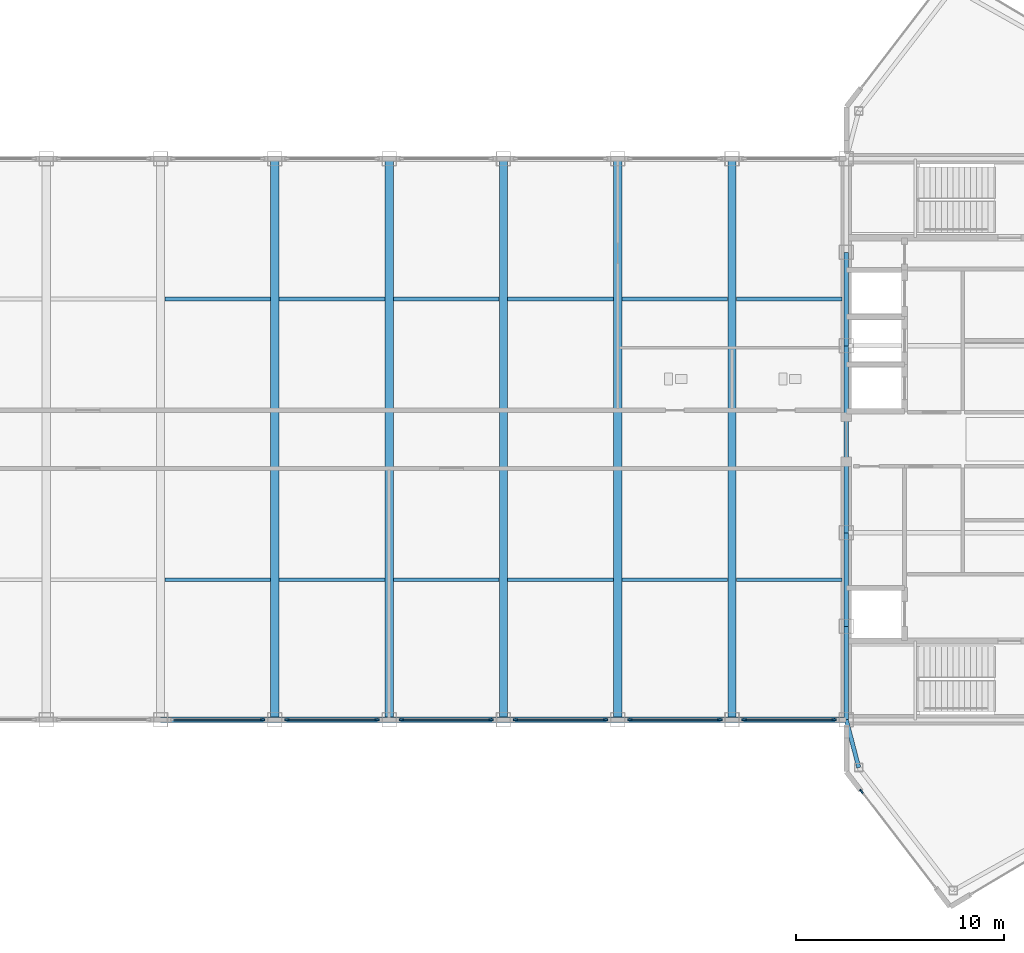
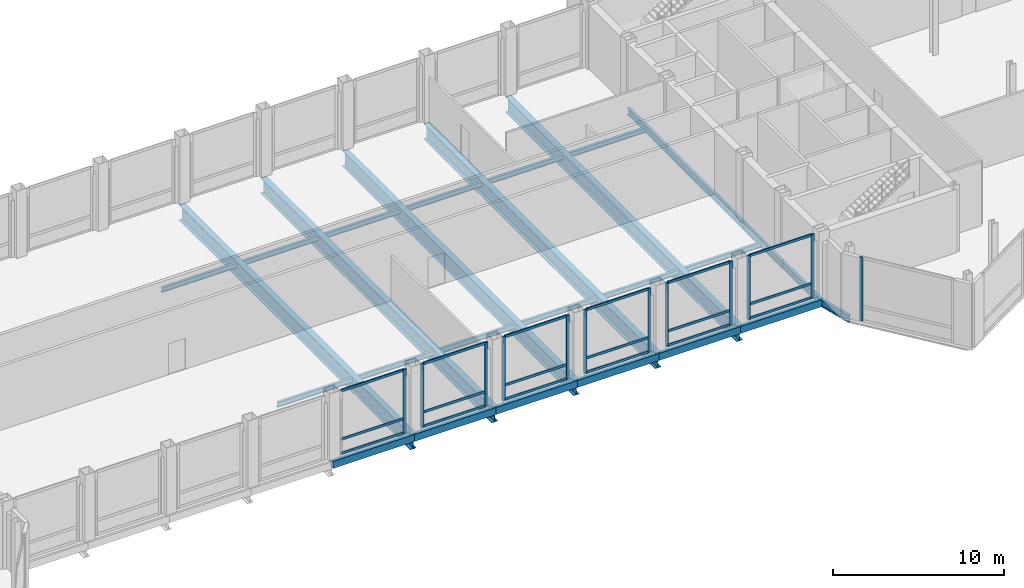
# One storey, part 13 of 29: 30 members, 28 beams, 7 elements without a shape of their own.
"""IFC4 building model written with IfcOpenShell, lengths in metres."""

from ifc_helpers import new_model, si_unit, direction, frame, origin, origin_2d, place, context, subcontext, project, spatial, rectangle, hollow_rectangle, i_section, extrude, source, transform, mapped, material, layer, layer_set, material_profile, profile_set, type_object, type_shapes, element, aggregate, save


model = new_model("IFC4")

# Units and contexts
model_context = context("Model", 3, precision=1e-05, world=origin(), true_north=direction((0.0, 1.0)))
body_context = subcontext(model_context, "Body", "Model", "MODEL_VIEW")
ifc_project = project(units=[si_unit("LENGTHUNIT", "METRE"), si_unit("AREAUNIT", "SQUARE_METRE"), si_unit("VOLUMEUNIT", "CUBIC_METRE"), si_unit("PLANEANGLEUNIT", "RADIAN"), si_unit("MASSUNIT", "GRAM", prefix="KILO")], contexts=[model_context])

# Site, building, storey
site_placement = place(None, origin())
site = spatial("IfcSite", under=ifc_project, at=site_placement, CompositionType="ELEMENT")
building_placement = place(site_placement, origin())
building = spatial("IfcBuilding", under=site, at=building_placement, Name="Seokmaru Belvedere", CompositionType="ELEMENT")
storey_placement = place(building_placement, frame((0.0, 0.0, 269.39990234375)))
storey = spatial("IfcBuildingStorey", under=building, at=storey_placement, Name="L71", CompositionType="ELEMENT", Elevation=269.39990234375)

# Beams
ifc_material_1 = material(Name="Steel SM355 (355 MPa)", Category="steel")
ifc_material_profile_1 = material_profile(ifc_material_1, i_section(OverallWidth=0.199951171875, OverallDepth=0.5, WebThickness=0.010009765625, FlangeThickness=0.01611328125, at=origin_2d()), Name="H-500x200x10x16")
ifc_profile_set_1 = profile_set([ifc_material_profile_1], Name="Steel SM355 (355 MPa)")
beam_type_1 = type_object("IfcBeamType", Name="Perimeter Spandrel Beam H-500", PredefinedType="SPANDREL", material=ifc_profile_set_1)
shared_shape_1 = source(origin(), body_context, "Body", "SweptSolid", [
    extrude(i_section(OverallWidth=0.199951171875, OverallDepth=0.5, WebThickness=0.010009765625, FlangeThickness=0.01611328125, at=origin_2d()), origin(), (0.0, 0.0, 1.0), 4.5),
])
for number, where, z_axis, x_axis, name in (
    (1, (27.5, -13.5, -0.510009765625), (0.0, 1.0, 0.0), (-1.0, 0.0, 0.0), "L71 E Portal Spine Spandrel 1"),
    (2, (27.5, -9.0, -0.510009765625), (0.0, 1.0, 0.0), (-1.0, 0.0, 0.0), "L71 E Portal Spine Spandrel 2"),
    (3, (27.5, 4.5, -0.510009765625), (0.0, 1.0, 0.0), (-1.0, 0.0, 0.0), "L71 E Portal Spine Spandrel 4"),
):
    element("IfcBeam", number, at=place(storey_placement, frame(where, z_axis=z_axis, x_axis=x_axis)), inside=storey, type_object=beam_type_1, Name=name, PredefinedType="SPANDREL", context=body_context, shape_type="MappedRepresentation", body=[
        mapped(shared_shape_1, transform((0.0, 0.0, 0.0), scale=1.0)),
    ])
shared_shape_2 = source(origin(), body_context, "Body", "SweptSolid", [
    extrude(i_section(OverallWidth=0.199951171875, OverallDepth=0.5, WebThickness=0.010009765625, FlangeThickness=0.01611328125, at=origin_2d()), origin(), (0.0, 0.0, 1.0), 9.0),
])
beam_1_placement = place(storey_placement, frame((27.5, -4.5, -0.510009765625), z_axis=(0.0, 1.0, 0.0), x_axis=(-1.0, 0.0, 0.0)))
element("IfcBeam", 4, at=beam_1_placement, inside=storey, type_object=beam_type_1, Name="L71 E Portal Spine Spandrel 3", PredefinedType="SPANDREL", context=body_context, shape_type="MappedRepresentation", body=[
    mapped(shared_shape_2, transform((0.0, 0.0, 0.0), scale=1.0)),
])
shared_shape_3 = source(origin(), body_context, "Body", "SweptSolid", [
    extrude(i_section(OverallWidth=0.199951171875, OverallDepth=0.5, WebThickness=0.010009765625, FlangeThickness=0.01611328125, at=origin_2d()), origin(), (0.0, 0.0, 1.0), 2.373046875),
])
type_shapes(beam_type_1, [shared_shape_1, shared_shape_2, shared_shape_3])
beam_2_placement = place(storey_placement, frame((28.10009765625, -15.7958984375, -0.510009765625), z_axis=(-0.252882558842, 0.967496982648, 0.0), x_axis=(-0.967496982648, -0.252882558842, 0.0)))
element("IfcBeam", 5, at=beam_2_placement, inside=storey, type_object=beam_type_1, Name="L71 E Shoulder Spine Spandrel S", PredefinedType="SPANDREL", context=body_context, shape_type="MappedRepresentation", body=[
    mapped(shared_shape_3, transform((0.0, 0.0, 0.0), scale=1.0)),
])
ifc_material_profile_2 = material_profile(ifc_material_1, i_section(OverallWidth=0.39990234375, OverallDepth=1.10009765625, WebThickness=0.02001953125, FlangeThickness=0.033935546875, at=origin_2d()), Name="BH-1100x400x20x34")
ifc_profile_set_2 = profile_set([ifc_material_profile_2], Name="Steel SM355 (355 MPa)")
beam_type_2 = type_object("IfcBeamType", Name="Sky-Gate Transverse Girder BH-1100", PredefinedType="BEAM", material=ifc_profile_set_2)
shared_shape_4 = source(origin(), body_context, "Body", "SweptSolid", [
    extrude(i_section(OverallWidth=0.39990234375, OverallDepth=1.10009765625, WebThickness=0.02001953125, FlangeThickness=0.033935546875, at=origin_2d()), origin(), (0.0, 0.0, 1.0), 27.0),
])
type_shapes(beam_type_2, [shared_shape_4])
for number, where, z_axis, x_axis, name in (
    (6, (0.0, -13.5, -0.809814453125), (0.0, 1.0, 0.0), (-1.0, 0.0, 0.0), "L71 Sky-Gate Transverse Girder 05"),
    (7, (5.5, -13.5, -0.809814453125), (0.0, 1.0, 0.0), (-1.0, 0.0, 0.0), "L71 Sky-Gate Transverse Girder 06"),
    (8, (11.0, -13.5, -0.809814453125), (0.0, 1.0, 0.0), (-1.0, 0.0, 0.0), "L71 Sky-Gate Transverse Girder 07"),
    (9, (16.5, -13.5, -0.809814453125), (0.0, 1.0, 0.0), (-1.0, 0.0, 0.0), "L71 Sky-Gate Transverse Girder 08"),
    (10, (22.0, -13.5, -0.809814453125), (0.0, 1.0, 0.0), (-1.0, 0.0, 0.0), "L71 Sky-Gate Transverse Girder 09"),
):
    element("IfcBeam", number, at=place(storey_placement, frame(where, z_axis=z_axis, x_axis=x_axis)), inside=storey, type_object=beam_type_2, Name=name, PredefinedType="BEAM", context=body_context, shape_type="MappedRepresentation", body=[
        mapped(shared_shape_4, transform((0.0, 0.0, 0.0), scale=1.0)),
    ])
ifc_material_profile_3 = material_profile(ifc_material_1, i_section(OverallWidth=0.175048828125, OverallDepth=0.35009765625, WebThickness=0.007080078125, FlangeThickness=0.010986328125, at=origin_2d()), Name="H-350x175x7x11")
ifc_profile_set_3 = profile_set([ifc_material_profile_3], Name="Steel SM355 (355 MPa)")
beam_type_3 = type_object("IfcBeamType", Name="Secondary Floor Joist H-300", PredefinedType="JOIST", material=ifc_profile_set_3)
shared_shape_5 = source(origin(), body_context, "Body", "SweptSolid", [
    extrude(i_section(OverallWidth=0.175048828125, OverallDepth=0.35009765625, WebThickness=0.007080078125, FlangeThickness=0.010986328125, at=origin_2d()), origin(), (0.0, 0.0, 1.0), 5.08984375),
])
type_shapes(beam_type_3, [shared_shape_5])
for number, where, z_axis, x_axis, name in (
    (11, (-5.294921875, -6.75, -0.434814453125), (1.0, 0.0, 0.0), (0.0, 1.0, 0.0), "L71 Sky-Gate Secondary Joist S-05"),
    (12, (0.205078125, -6.75, -0.434814453125), (1.0, 0.0, 0.0), (0.0, 1.0, 0.0), "L71 Sky-Gate Secondary Joist S-06"),
    (13, (5.705078125, -6.75, -0.434814453125), (1.0, 0.0, 0.0), (0.0, 1.0, 0.0), "L71 Sky-Gate Secondary Joist S-07"),
    (14, (11.205078125, -6.75, -0.434814453125), (1.0, 0.0, 0.0), (0.0, 1.0, 0.0), "L71 Sky-Gate Secondary Joist S-08"),
    (15, (16.705078125, -6.75, -0.434814453125), (1.0, 0.0, 0.0), (0.0, 1.0, 0.0), "L71 Sky-Gate Secondary Joist S-09"),
    (16, (22.205078125, -6.75, -0.434814453125), (1.0, 0.0, 0.0), (0.0, 1.0, 0.0), "L71 Sky-Gate Secondary Joist S-10"),
    (17, (-5.294921875, 6.75, -0.434814453125), (1.0, 0.0, 0.0), (0.0, 1.0, 0.0), "L71 Sky-Gate Secondary Joist N-05"),
    (18, (0.205078125, 6.75, -0.434814453125), (1.0, 0.0, 0.0), (0.0, 1.0, 0.0), "L71 Sky-Gate Secondary Joist N-06"),
    (19, (5.705078125, 6.75, -0.434814453125), (1.0, 0.0, 0.0), (0.0, 1.0, 0.0), "L71 Sky-Gate Secondary Joist N-07"),
    (20, (11.205078125, 6.75, -0.434814453125), (1.0, 0.0, 0.0), (0.0, 1.0, 0.0), "L71 Sky-Gate Secondary Joist N-08"),
    (21, (16.705078125, 6.75, -0.434814453125), (1.0, 0.0, 0.0), (0.0, 1.0, 0.0), "L71 Sky-Gate Secondary Joist N-09"),
    (22, (22.205078125, 6.75, -0.434814453125), (1.0, 0.0, 0.0), (0.0, 1.0, 0.0), "L71 Sky-Gate Secondary Joist N-10"),
):
    element("IfcBeam", number, at=place(storey_placement, frame(where, z_axis=z_axis, x_axis=x_axis)), inside=storey, type_object=beam_type_3, Name=name, PredefinedType="JOIST", context=body_context, shape_type="MappedRepresentation", body=[
        mapped(shared_shape_5, transform((0.0, 0.0, 0.0), scale=1.0)),
    ])
ifc_material_profile_4 = material_profile(ifc_material_1, hollow_rectangle(XDim=0.25, YDim=0.5, WallThickness=0.013916015625, at=origin_2d()), Name="RHS-500x250x14")
ifc_profile_set_4 = profile_set([ifc_material_profile_4], Name="Steel SM355 (355 MPa)")
beam_type_4 = type_object("IfcBeamType", Name="Bridge Edge Spandrel RHS-500", PredefinedType="SPANDREL", material=ifc_profile_set_4)
shared_shape_6 = source(origin(), body_context, "Body", "SweptSolid", [
    extrude(hollow_rectangle(XDim=0.25, YDim=0.5, WallThickness=0.013916015625, at=origin_2d()), origin(), (0.0, 0.0, 1.0), 5.5),
])
type_shapes(beam_type_4, [shared_shape_6])
for number, where, z_axis, x_axis, name in (
    (23, (-5.5, -13.5, -0.510009765625), (1.0, 0.0, 0.0), (0.0, 1.0, 0.0), "L71 Sky-Gate Bridge Edge Girder S-05"),
    (24, (0.0, -13.5, -0.510009765625), (1.0, 0.0, 0.0), (0.0, 1.0, 0.0), "L71 Sky-Gate Bridge Edge Girder S-06"),
    (25, (5.5, -13.5, -0.510009765625), (1.0, 0.0, 0.0), (0.0, 1.0, 0.0), "L71 Sky-Gate Bridge Edge Girder S-07"),
    (26, (11.0, -13.5, -0.510009765625), (1.0, 0.0, 0.0), (0.0, 1.0, 0.0), "L71 Sky-Gate Bridge Edge Girder S-08"),
    (27, (16.5, -13.5, -0.510009765625), (1.0, 0.0, 0.0), (0.0, 1.0, 0.0), "L71 Sky-Gate Bridge Edge Girder S-09"),
    (28, (22.0, -13.5, -0.510009765625), (1.0, 0.0, 0.0), (0.0, 1.0, 0.0), "L71 Sky-Gate Bridge Edge Girder S-10"),
):
    element("IfcBeam", number, at=place(storey_placement, frame(where, z_axis=z_axis, x_axis=x_axis)), inside=storey, type_object=beam_type_4, Name=name, PredefinedType="SPANDREL", context=body_context, shape_type="MappedRepresentation", body=[
        mapped(shared_shape_6, transform((0.0, 0.0, 0.0), scale=1.0)),
    ])

# Curtain wall, member
ifc_material_2 = material(Name="Bronze Triple Insulating Glass", Category="glass")
ifc_layer = layer(ifc_material_2, 0.219970703125)
ifc_layer_set = layer_set([ifc_layer], Name="Bronze Triple Insulating Glass")
curtain_wall_type = type_object("IfcCurtainWallType", Name="Sky-Gate Bridge Panorama Curtain Wall System CW-6", PredefinedType="NOTDEFINED", material=ifc_layer_set)
curtain_wall_1_placement = place(storey_placement, origin())
curtain_wall_1 = element("IfcCurtainWall", 29, at=curtain_wall_1_placement, inside=storey, type_object=curtain_wall_type, Name="L71 Curtain Wall EF6", PredefinedType="NOTDEFINED")
ifc_material_3 = material(Name="Anodised Bronze Aluminium", Category="aluminium")
ifc_material_profile_5 = material_profile(ifc_material_3, rectangle(XDim=0.080078125, YDim=0.219970703125, at=origin_2d()), Name="CW-M-80x220")
ifc_profile_set_5 = profile_set([ifc_material_profile_5], Name="Anodised Bronze Aluminium")
member_type_1 = type_object("IfcMemberType", Name="Bronze Unitised Mullion 80x220", PredefinedType="MULLION", material=ifc_profile_set_5)
shared_shape_7 = source(origin(), body_context, "Body", "SweptSolid", [
    extrude(rectangle(XDim=0.080078125, YDim=0.219970703125, at=origin_2d()), origin(), (0.0, 0.0, 1.0), 4.5400390625),
])
type_shapes(member_type_1, [shared_shape_7])
member_1_placement = place(storey_placement, frame((28.2255859375, -16.943115234375, 0.0), z_axis=(0.0, 0.0, 1.0), x_axis=(0.792631353244, 0.609701187349, 0.0)))
member_1 = element("IfcMember", 30, at=member_1_placement, type_object=member_type_1, Name="CW:L71:EF6 Mullion 1", PredefinedType="MULLION", context=body_context, shape_type="MappedRepresentation", body=[
    mapped(shared_shape_7, transform((0.0, 0.0, 0.0), scale=1.0)),
])
aggregate(curtain_wall_1, [member_1])

curtain_wall_2_placement = place(storey_placement, origin())
curtain_wall_2 = element("IfcCurtainWall", 31, at=curtain_wall_2_placement, inside=storey, type_object=curtain_wall_type, Name="L71 Curtain Wall BR_S05", PredefinedType="NOTDEFINED")
member_2_placement = place(storey_placement, frame((-0.590087890625, -13.5, 0.0), z_axis=(0.0, 0.0, 1.0), x_axis=(0.0, 1.0, 0.0)))
member_2 = element("IfcMember", 32, at=member_2_placement, type_object=member_type_1, Name="CW:L71:BR_S05 Mullion 2", PredefinedType="MULLION", context=body_context, shape_type="MappedRepresentation", body=[
    mapped(shared_shape_7, transform((0.0, 0.0, 0.0), scale=1.0)),
])

# Curtain wall, members
curtain_wall_3_placement = place(storey_placement, origin())
curtain_wall_3 = element("IfcCurtainWall", 33, at=curtain_wall_3_placement, inside=storey, type_object=curtain_wall_type, Name="L71 Curtain Wall BR_S06", PredefinedType="NOTDEFINED")
member_3_placement = place(storey_placement, frame((0.590087890625, -13.5, 0.0), z_axis=(0.0, 0.0, 1.0), x_axis=(0.0, 1.0, 0.0)))
member_3 = element("IfcMember", 34, at=member_3_placement, type_object=member_type_1, Name="CW:L71:BR_S06 Mullion 1", PredefinedType="MULLION", context=body_context, shape_type="MappedRepresentation", body=[
    mapped(shared_shape_7, transform((0.0, 0.0, 0.0), scale=1.0)),
])
member_4_placement = place(storey_placement, frame((4.909912109375, -13.5, 0.0), z_axis=(0.0, 0.0, 1.0), x_axis=(0.0, 1.0, 0.0)))
member_4 = element("IfcMember", 35, at=member_4_placement, type_object=member_type_1, Name="CW:L71:BR_S06 Mullion 2", PredefinedType="MULLION", context=body_context, shape_type="MappedRepresentation", body=[
    mapped(shared_shape_7, transform((0.0, 0.0, 0.0), scale=1.0)),
])

curtain_wall_4_placement = place(storey_placement, origin())
curtain_wall_4 = element("IfcCurtainWall", 36, at=curtain_wall_4_placement, inside=storey, type_object=curtain_wall_type, Name="L71 Curtain Wall BR_S07", PredefinedType="NOTDEFINED")
member_5_placement = place(storey_placement, frame((6.090087890625, -13.5, 0.0), z_axis=(0.0, 0.0, 1.0), x_axis=(0.0, 1.0, 0.0)))
member_5 = element("IfcMember", 37, at=member_5_placement, type_object=member_type_1, Name="CW:L71:BR_S07 Mullion 1", PredefinedType="MULLION", context=body_context, shape_type="MappedRepresentation", body=[
    mapped(shared_shape_7, transform((0.0, 0.0, 0.0), scale=1.0)),
])
member_6_placement = place(storey_placement, frame((10.409912109375, -13.5, 0.0), z_axis=(0.0, 0.0, 1.0), x_axis=(0.0, 1.0, 0.0)))
member_6 = element("IfcMember", 38, at=member_6_placement, type_object=member_type_1, Name="CW:L71:BR_S07 Mullion 2", PredefinedType="MULLION", context=body_context, shape_type="MappedRepresentation", body=[
    mapped(shared_shape_7, transform((0.0, 0.0, 0.0), scale=1.0)),
])

curtain_wall_5_placement = place(storey_placement, origin())
curtain_wall_5 = element("IfcCurtainWall", 39, at=curtain_wall_5_placement, inside=storey, type_object=curtain_wall_type, Name="L71 Curtain Wall BR_S08", PredefinedType="NOTDEFINED")
member_7_placement = place(storey_placement, frame((11.590087890625, -13.5, 0.0), z_axis=(0.0, 0.0, 1.0), x_axis=(0.0, 1.0, 0.0)))
member_7 = element("IfcMember", 40, at=member_7_placement, type_object=member_type_1, Name="CW:L71:BR_S08 Mullion 1", PredefinedType="MULLION", context=body_context, shape_type="MappedRepresentation", body=[
    mapped(shared_shape_7, transform((0.0, 0.0, 0.0), scale=1.0)),
])
member_8_placement = place(storey_placement, frame((15.909912109375, -13.5, 0.0), z_axis=(0.0, 0.0, 1.0), x_axis=(0.0, 1.0, 0.0)))
member_8 = element("IfcMember", 41, at=member_8_placement, type_object=member_type_1, Name="CW:L71:BR_S08 Mullion 2", PredefinedType="MULLION", context=body_context, shape_type="MappedRepresentation", body=[
    mapped(shared_shape_7, transform((0.0, 0.0, 0.0), scale=1.0)),
])

curtain_wall_6_placement = place(storey_placement, origin())
curtain_wall_6 = element("IfcCurtainWall", 42, at=curtain_wall_6_placement, inside=storey, type_object=curtain_wall_type, Name="L71 Curtain Wall BR_S09", PredefinedType="NOTDEFINED")
member_9_placement = place(storey_placement, frame((17.090087890625, -13.5, 0.0), z_axis=(0.0, 0.0, 1.0), x_axis=(0.0, 1.0, 0.0)))
member_9 = element("IfcMember", 43, at=member_9_placement, type_object=member_type_1, Name="CW:L71:BR_S09 Mullion 1", PredefinedType="MULLION", context=body_context, shape_type="MappedRepresentation", body=[
    mapped(shared_shape_7, transform((0.0, 0.0, 0.0), scale=1.0)),
])
member_10_placement = place(storey_placement, frame((21.409912109375, -13.5, 0.0), z_axis=(0.0, 0.0, 1.0), x_axis=(0.0, 1.0, 0.0)))
member_10 = element("IfcMember", 44, at=member_10_placement, type_object=member_type_1, Name="CW:L71:BR_S09 Mullion 2", PredefinedType="MULLION", context=body_context, shape_type="MappedRepresentation", body=[
    mapped(shared_shape_7, transform((0.0, 0.0, 0.0), scale=1.0)),
])

curtain_wall_7_placement = place(storey_placement, origin())
curtain_wall_7 = element("IfcCurtainWall", 45, at=curtain_wall_7_placement, inside=storey, type_object=curtain_wall_type, Name="L71 Curtain Wall BR_S10", PredefinedType="NOTDEFINED")
member_11_placement = place(storey_placement, frame((22.590087890625, -13.5, 0.0), z_axis=(0.0, 0.0, 1.0), x_axis=(0.0, 1.0, 0.0)))
member_11 = element("IfcMember", 46, at=member_11_placement, type_object=member_type_1, Name="CW:L71:BR_S10 Mullion 1", PredefinedType="MULLION", context=body_context, shape_type="MappedRepresentation", body=[
    mapped(shared_shape_7, transform((0.0, 0.0, 0.0), scale=1.0)),
])
member_12_placement = place(storey_placement, frame((26.909912109375, -13.5, 0.0), z_axis=(0.0, 0.0, 1.0), x_axis=(0.0, 1.0, 0.0)))
member_12 = element("IfcMember", 47, at=member_12_placement, type_object=member_type_1, Name="CW:L71:BR_S10 Mullion 2", PredefinedType="MULLION", context=body_context, shape_type="MappedRepresentation", body=[
    mapped(shared_shape_7, transform((0.0, 0.0, 0.0), scale=1.0)),
])

# Member
ifc_material_profile_6 = material_profile(ifc_material_3, rectangle(XDim=0.074951171875, YDim=0.179931640625, at=origin_2d()), Name="CW-T-75x180")
ifc_profile_set_6 = profile_set([ifc_material_profile_6], Name="Anodised Bronze Aluminium")
member_type_2 = type_object("IfcMemberType", Name="Bronze Unitised Transom 75x180", PredefinedType="USERDEFINED", material=ifc_profile_set_6)
shared_shape_8 = source(origin(), body_context, "Body", "SweptSolid", [
    extrude(rectangle(XDim=0.074951171875, YDim=0.179931640625, at=origin_2d()), origin(), (0.0, 0.0, 1.0), 4.240234375),
])
type_shapes(member_type_2, [shared_shape_8])
member_13_placement = place(storey_placement, frame((-4.8701171875, -13.5, 0.03759765625), z_axis=(1.0, 0.0, 0.0), x_axis=(0.0, 1.0, 0.0)))
member_13 = element("IfcMember", 48, at=member_13_placement, type_object=member_type_2, Name="CW:L71:BR_S05 Continuous Transom 1", ObjectType="TRANSOM", PredefinedType="USERDEFINED", context=body_context, shape_type="MappedRepresentation", body=[
    mapped(shared_shape_8, transform((0.0, 0.0, 0.0), scale=1.0)),
])

member_14_placement = place(storey_placement, frame((-4.8701171875, -13.5, 4.502685546875), z_axis=(1.0, 0.0, 0.0), x_axis=(0.0, 1.0, 0.0)))
member_14 = element("IfcMember", 49, at=member_14_placement, type_object=member_type_2, Name="CW:L71:BR_S05 Continuous Transom 2", ObjectType="TRANSOM", PredefinedType="USERDEFINED", context=body_context, shape_type="MappedRepresentation", body=[
    mapped(shared_shape_8, transform((0.0, 0.0, 0.0), scale=1.0)),
])

member_15_placement = place(storey_placement, frame((-4.8701171875, -13.5, 1.050048828125), z_axis=(1.0, 0.0, 0.0), x_axis=(0.0, 1.0, 0.0)))
member_15 = element("IfcMember", 50, at=member_15_placement, type_object=member_type_2, Name="CW:L71:BR_S05 Spandrel Transom 1", ObjectType="TRANSOM", PredefinedType="USERDEFINED", context=body_context, shape_type="MappedRepresentation", body=[
    mapped(shared_shape_8, transform((0.0, 0.0, 0.0), scale=1.0)),
])

aggregate(curtain_wall_2, [member_2, member_13, member_14, member_15])

member_16_placement = place(storey_placement, frame((0.6298828125, -13.5, 0.03759765625), z_axis=(1.0, 0.0, 0.0), x_axis=(0.0, 1.0, 0.0)))
member_16 = element("IfcMember", 51, at=member_16_placement, type_object=member_type_2, Name="CW:L71:BR_S06 Continuous Transom 1", ObjectType="TRANSOM", PredefinedType="USERDEFINED", context=body_context, shape_type="MappedRepresentation", body=[
    mapped(shared_shape_8, transform((0.0, 0.0, 0.0), scale=1.0)),
])

member_17_placement = place(storey_placement, frame((0.6298828125, -13.5, 4.502685546875), z_axis=(1.0, 0.0, 0.0), x_axis=(0.0, 1.0, 0.0)))
member_17 = element("IfcMember", 52, at=member_17_placement, type_object=member_type_2, Name="CW:L71:BR_S06 Continuous Transom 2", ObjectType="TRANSOM", PredefinedType="USERDEFINED", context=body_context, shape_type="MappedRepresentation", body=[
    mapped(shared_shape_8, transform((0.0, 0.0, 0.0), scale=1.0)),
])

member_18_placement = place(storey_placement, frame((0.6298828125, -13.5, 1.050048828125), z_axis=(1.0, 0.0, 0.0), x_axis=(0.0, 1.0, 0.0)))
member_18 = element("IfcMember", 53, at=member_18_placement, type_object=member_type_2, Name="CW:L71:BR_S06 Spandrel Transom 1", ObjectType="TRANSOM", PredefinedType="USERDEFINED", context=body_context, shape_type="MappedRepresentation", body=[
    mapped(shared_shape_8, transform((0.0, 0.0, 0.0), scale=1.0)),
])

aggregate(curtain_wall_3, [member_3, member_4, member_16, member_17, member_18])

member_19_placement = place(storey_placement, frame((6.1298828125, -13.5, 0.03759765625), z_axis=(1.0, 0.0, 0.0), x_axis=(0.0, 1.0, 0.0)))
member_19 = element("IfcMember", 54, at=member_19_placement, type_object=member_type_2, Name="CW:L71:BR_S07 Continuous Transom 1", ObjectType="TRANSOM", PredefinedType="USERDEFINED", context=body_context, shape_type="MappedRepresentation", body=[
    mapped(shared_shape_8, transform((0.0, 0.0, 0.0), scale=1.0)),
])

member_20_placement = place(storey_placement, frame((6.1298828125, -13.5, 4.502685546875), z_axis=(1.0, 0.0, 0.0), x_axis=(0.0, 1.0, 0.0)))
member_20 = element("IfcMember", 55, at=member_20_placement, type_object=member_type_2, Name="CW:L71:BR_S07 Continuous Transom 2", ObjectType="TRANSOM", PredefinedType="USERDEFINED", context=body_context, shape_type="MappedRepresentation", body=[
    mapped(shared_shape_8, transform((0.0, 0.0, 0.0), scale=1.0)),
])

member_21_placement = place(storey_placement, frame((6.1298828125, -13.5, 1.050048828125), z_axis=(1.0, 0.0, 0.0), x_axis=(0.0, 1.0, 0.0)))
member_21 = element("IfcMember", 56, at=member_21_placement, type_object=member_type_2, Name="CW:L71:BR_S07 Spandrel Transom 1", ObjectType="TRANSOM", PredefinedType="USERDEFINED", context=body_context, shape_type="MappedRepresentation", body=[
    mapped(shared_shape_8, transform((0.0, 0.0, 0.0), scale=1.0)),
])

aggregate(curtain_wall_4, [member_5, member_6, member_19, member_20, member_21])

member_22_placement = place(storey_placement, frame((11.6298828125, -13.5, 0.03759765625), z_axis=(1.0, 0.0, 0.0), x_axis=(0.0, 1.0, 0.0)))
member_22 = element("IfcMember", 57, at=member_22_placement, type_object=member_type_2, Name="CW:L71:BR_S08 Continuous Transom 1", ObjectType="TRANSOM", PredefinedType="USERDEFINED", context=body_context, shape_type="MappedRepresentation", body=[
    mapped(shared_shape_8, transform((0.0, 0.0, 0.0), scale=1.0)),
])

member_23_placement = place(storey_placement, frame((11.6298828125, -13.5, 4.502685546875), z_axis=(1.0, 0.0, 0.0), x_axis=(0.0, 1.0, 0.0)))
member_23 = element("IfcMember", 58, at=member_23_placement, type_object=member_type_2, Name="CW:L71:BR_S08 Continuous Transom 2", ObjectType="TRANSOM", PredefinedType="USERDEFINED", context=body_context, shape_type="MappedRepresentation", body=[
    mapped(shared_shape_8, transform((0.0, 0.0, 0.0), scale=1.0)),
])

member_24_placement = place(storey_placement, frame((11.6298828125, -13.5, 1.050048828125), z_axis=(1.0, 0.0, 0.0), x_axis=(0.0, 1.0, 0.0)))
member_24 = element("IfcMember", 59, at=member_24_placement, type_object=member_type_2, Name="CW:L71:BR_S08 Spandrel Transom 1", ObjectType="TRANSOM", PredefinedType="USERDEFINED", context=body_context, shape_type="MappedRepresentation", body=[
    mapped(shared_shape_8, transform((0.0, 0.0, 0.0), scale=1.0)),
])

aggregate(curtain_wall_5, [member_7, member_8, member_22, member_23, member_24])

member_25_placement = place(storey_placement, frame((17.1298828125, -13.5, 0.03759765625), z_axis=(1.0, 0.0, 0.0), x_axis=(0.0, 1.0, 0.0)))
member_25 = element("IfcMember", 60, at=member_25_placement, type_object=member_type_2, Name="CW:L71:BR_S09 Continuous Transom 1", ObjectType="TRANSOM", PredefinedType="USERDEFINED", context=body_context, shape_type="MappedRepresentation", body=[
    mapped(shared_shape_8, transform((0.0, 0.0, 0.0), scale=1.0)),
])

member_26_placement = place(storey_placement, frame((17.1298828125, -13.5, 4.502685546875), z_axis=(1.0, 0.0, 0.0), x_axis=(0.0, 1.0, 0.0)))
member_26 = element("IfcMember", 61, at=member_26_placement, type_object=member_type_2, Name="CW:L71:BR_S09 Continuous Transom 2", ObjectType="TRANSOM", PredefinedType="USERDEFINED", context=body_context, shape_type="MappedRepresentation", body=[
    mapped(shared_shape_8, transform((0.0, 0.0, 0.0), scale=1.0)),
])

member_27_placement = place(storey_placement, frame((17.1298828125, -13.5, 1.050048828125), z_axis=(1.0, 0.0, 0.0), x_axis=(0.0, 1.0, 0.0)))
member_27 = element("IfcMember", 62, at=member_27_placement, type_object=member_type_2, Name="CW:L71:BR_S09 Spandrel Transom 1", ObjectType="TRANSOM", PredefinedType="USERDEFINED", context=body_context, shape_type="MappedRepresentation", body=[
    mapped(shared_shape_8, transform((0.0, 0.0, 0.0), scale=1.0)),
])

aggregate(curtain_wall_6, [member_9, member_10, member_25, member_26, member_27])

member_28_placement = place(storey_placement, frame((22.6298828125, -13.5, 0.03759765625), z_axis=(1.0, 0.0, 0.0), x_axis=(0.0, 1.0, 0.0)))
member_28 = element("IfcMember", 63, at=member_28_placement, type_object=member_type_2, Name="CW:L71:BR_S10 Continuous Transom 1", ObjectType="TRANSOM", PredefinedType="USERDEFINED", context=body_context, shape_type="MappedRepresentation", body=[
    mapped(shared_shape_8, transform((0.0, 0.0, 0.0), scale=1.0)),
])

member_29_placement = place(storey_placement, frame((22.6298828125, -13.5, 4.502685546875), z_axis=(1.0, 0.0, 0.0), x_axis=(0.0, 1.0, 0.0)))
member_29 = element("IfcMember", 64, at=member_29_placement, type_object=member_type_2, Name="CW:L71:BR_S10 Continuous Transom 2", ObjectType="TRANSOM", PredefinedType="USERDEFINED", context=body_context, shape_type="MappedRepresentation", body=[
    mapped(shared_shape_8, transform((0.0, 0.0, 0.0), scale=1.0)),
])

member_30_placement = place(storey_placement, frame((22.6298828125, -13.5, 1.050048828125), z_axis=(1.0, 0.0, 0.0), x_axis=(0.0, 1.0, 0.0)))
member_30 = element("IfcMember", 65, at=member_30_placement, type_object=member_type_2, Name="CW:L71:BR_S10 Spandrel Transom 1", ObjectType="TRANSOM", PredefinedType="USERDEFINED", context=body_context, shape_type="MappedRepresentation", body=[
    mapped(shared_shape_8, transform((0.0, 0.0, 0.0), scale=1.0)),
])

aggregate(curtain_wall_7, [member_11, member_12, member_28, member_29, member_30])

save(model, "model.ifc")
